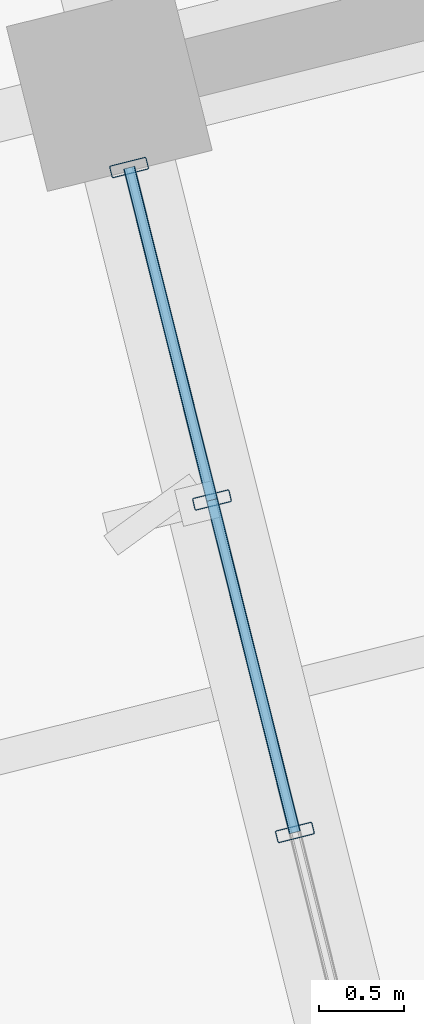
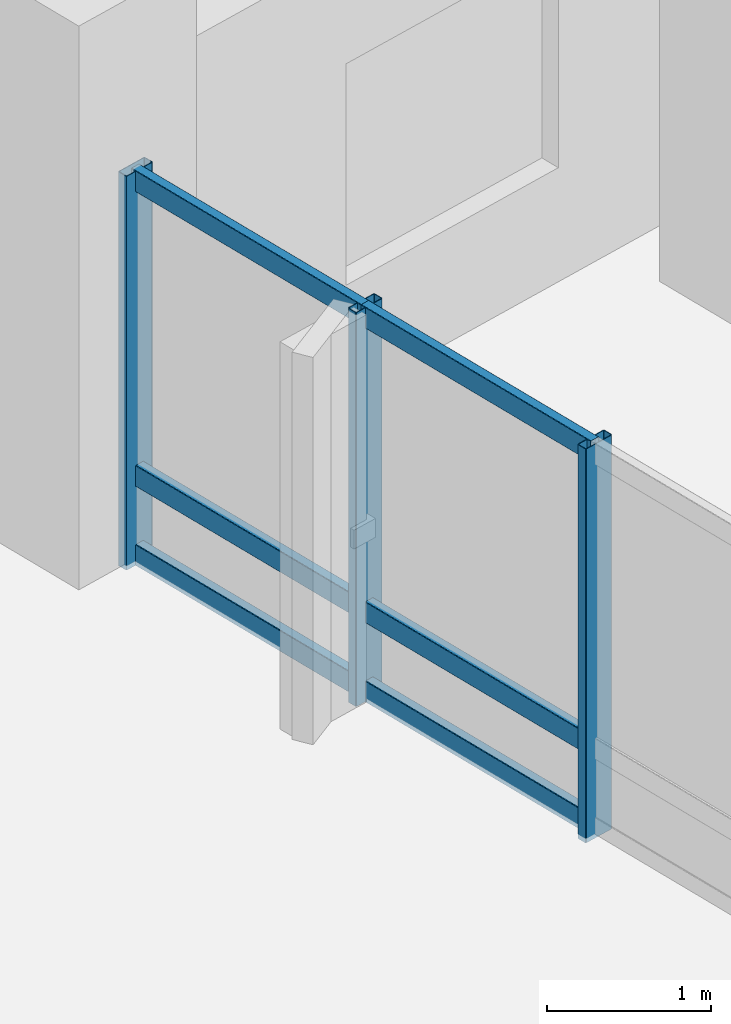
# One storey, part 16 of 42: 9 members, 1 element without a shape of its own.
"""IFC4 building model written with IfcOpenShell, lengths in metres."""

from ifc_helpers import new_model, si_unit, direction, frame, origin, origin_2d, place, context, subcontext, project, spatial, hollow_rectangle, extrude, material, layer, layer_set, material_profile, profile_set, type_object, element, aggregate, save


model = new_model("IFC4")

# Units and contexts
model_context = context("Model", 3, precision=1e-05, world=origin(), true_north=direction((0.0, 1.0)))
body_context = subcontext(model_context, "Body", "Model", "MODEL_VIEW")
ifc_project = project(units=[si_unit("LENGTHUNIT", "METRE"), si_unit("AREAUNIT", "SQUARE_METRE"), si_unit("VOLUMEUNIT", "CUBIC_METRE"), si_unit("PLANEANGLEUNIT", "RADIAN"), si_unit("MASSUNIT", "GRAM", prefix="KILO")], contexts=[model_context])

# Site, building, storey
site_placement = place(None, origin())
site = spatial("IfcSite", under=ifc_project, at=site_placement, CompositionType="ELEMENT")
building_placement = place(site_placement, origin())
building = spatial("IfcBuilding", under=site, at=building_placement, Name="Khorjan Park Terminus", CompositionType="ELEMENT")
storey_placement = place(building_placement, frame((0.0, 0.0, 20.4)))
storey = spatial("IfcBuildingStorey", under=building, at=storey_placement, Name="L04", CompositionType="ELEMENT", Elevation=20.4)

# Curtain wall, members
ifc_material = material(Name="Anodized Bronze Aluminium", Category="aluminium")
ifc_layer = layer(ifc_material, 0.22)
ifc_layer_set = layer_set([ifc_layer], Name="Anodized Bronze Aluminium")
curtain_wall_type = type_object("IfcCurtainWallType", Name="CW-OPS-B", PredefinedType="NOTDEFINED", material=ifc_layer_set)
curtain_wall_placement = place(storey_placement, origin())
curtain_wall = element("IfcCurtainWall", 1, at=curtain_wall_placement, inside=storey, type_object=curtain_wall_type, Name="Unitized curtain wall CW-B (CW-V5-NW1-L04-B01)", PredefinedType="NOTDEFINED")
ifc_material_profile_1 = material_profile(ifc_material, hollow_rectangle(XDim=0.075, YDim=0.225, WallThickness=0.005, InnerFilletRadius=0.005, OuterFilletRadius=0.01, at=origin_2d()), Name="ALM 75x225x5")
ifc_profile_set_1 = profile_set([ifc_material_profile_1], Name="Anodized Bronze Aluminium")
member_type_1 = type_object("IfcMemberType", Name="ML-ALM-225", PredefinedType="MULLION", material=ifc_profile_set_1)
member_1_placement = place(storey_placement, frame((195.5034, 65.5453, -0.035), z_axis=(0.0, 0.0, 1.0), x_axis=(0.241919922282, -0.970296218277, 0.0)))
member_1 = element("IfcMember", 2, at=member_1_placement, type_object=member_type_1, Name="Curtain-wall mullion ML-22 (CW-V5-NW1-L04-B01-0)", PredefinedType="MULLION", context=body_context, shape_type="SweptSolid", body=[
    extrude(hollow_rectangle(XDim=0.075, YDim=0.225, WallThickness=0.005, InnerFilletRadius=0.005, OuterFilletRadius=0.01, at=origin_2d()), origin(), (0.0, 0.0, 1.0), 2.935),
])
member_2_placement = place(storey_placement, frame((195.9916, 63.5873, -0.035), z_axis=(0.0, 0.0, 1.0), x_axis=(0.241919922282, -0.970296218277, 0.0)))
member_2 = element("IfcMember", 3, at=member_2_placement, type_object=member_type_1, Name="Curtain-wall mullion ML-22 (CW-V5-NW1-L04-B01-1)", PredefinedType="MULLION", context=body_context, shape_type="SweptSolid", body=[
    extrude(hollow_rectangle(XDim=0.075, YDim=0.225, WallThickness=0.005, InnerFilletRadius=0.005, OuterFilletRadius=0.01, at=origin_2d()), origin(), (0.0, 0.0, 1.0), 2.935),
])
member_3_placement = place(storey_placement, frame((196.4798, 61.6293, -0.035), z_axis=(0.0, 0.0, 1.0), x_axis=(0.241919922282, -0.970296218277, 0.0)))
member_3 = element("IfcMember", 4, at=member_3_placement, type_object=member_type_1, Name="Curtain-wall mullion ML-22 (CW-V5-NW1-L04-B01-2)", PredefinedType="MULLION", context=body_context, shape_type="SweptSolid", body=[
    extrude(hollow_rectangle(XDim=0.075, YDim=0.225, WallThickness=0.005, InnerFilletRadius=0.005, OuterFilletRadius=0.01, at=origin_2d()), origin(), (0.0, 0.0, 1.0), 2.935),
])
ifc_material_profile_2 = material_profile(ifc_material, hollow_rectangle(XDim=0.07, YDim=0.16, WallThickness=0.004, InnerFilletRadius=0.004, OuterFilletRadius=0.008, at=origin_2d()), Name="ALT 70x160x4")
ifc_profile_set_2 = profile_set([ifc_material_profile_2], Name="Anodized Bronze Aluminium")
member_type_2 = type_object("IfcMemberType", Name="TR-ALT-160", PredefinedType="USERDEFINED", material=ifc_profile_set_2)
member_4_placement = place(storey_placement, frame((195.5034, 65.5453, 0.04), z_axis=(0.241929253299, -0.970293891766, 0.0), x_axis=(0.970293891766, 0.241929253299, 0.0)))
member_4 = element("IfcMember", 5, at=member_4_placement, type_object=member_type_2, Name="Curtain-wall transom TR-16 (CW-V5-NW1-L04-B01-0-1)", ObjectType="TRANSOM", PredefinedType="USERDEFINED", context=body_context, shape_type="SweptSolid", body=[
    extrude(hollow_rectangle(XDim=0.07, YDim=0.16, WallThickness=0.004, InnerFilletRadius=0.004, OuterFilletRadius=0.008, at=origin_2d()), origin(), (0.0, 0.0, 1.0), 2.0179),
])
member_5_placement = place(storey_placement, frame((195.5034, 65.5453, 0.63), z_axis=(0.241929253299, -0.970293891766, 0.0), x_axis=(0.970293891766, 0.241929253299, 0.0)))
member_5 = element("IfcMember", 6, at=member_5_placement, type_object=member_type_2, Name="Curtain-wall transom TR-16 (CW-V5-NW1-L04-B01-0-2)", ObjectType="TRANSOM", PredefinedType="USERDEFINED", context=body_context, shape_type="SweptSolid", body=[
    extrude(hollow_rectangle(XDim=0.07, YDim=0.16, WallThickness=0.004, InnerFilletRadius=0.004, OuterFilletRadius=0.008, at=origin_2d()), origin(), (0.0, 0.0, 1.0), 2.0179),
])
member_6_placement = place(storey_placement, frame((195.5034, 65.5453, 2.825), z_axis=(0.241929253299, -0.970293891766, 0.0), x_axis=(0.970293891766, 0.241929253299, 0.0)))
member_6 = element("IfcMember", 7, at=member_6_placement, type_object=member_type_2, Name="Curtain-wall transom TR-16 (CW-V5-NW1-L04-B01-0-3)", ObjectType="TRANSOM", PredefinedType="USERDEFINED", context=body_context, shape_type="SweptSolid", body=[
    extrude(hollow_rectangle(XDim=0.07, YDim=0.16, WallThickness=0.004, InnerFilletRadius=0.004, OuterFilletRadius=0.008, at=origin_2d()), origin(), (0.0, 0.0, 1.0), 2.0179),
])
member_7_placement = place(storey_placement, frame((195.9916, 63.5873, 0.04), z_axis=(0.241929253299, -0.970293891766, 0.0), x_axis=(0.970293891766, 0.241929253299, 0.0)))
member_7 = element("IfcMember", 8, at=member_7_placement, type_object=member_type_2, Name="Curtain-wall transom TR-16 (CW-V5-NW1-L04-B01-1-1)", ObjectType="TRANSOM", PredefinedType="USERDEFINED", context=body_context, shape_type="SweptSolid", body=[
    extrude(hollow_rectangle(XDim=0.07, YDim=0.16, WallThickness=0.004, InnerFilletRadius=0.004, OuterFilletRadius=0.008, at=origin_2d()), origin(), (0.0, 0.0, 1.0), 2.0179),
])
member_8_placement = place(storey_placement, frame((195.9916, 63.5873, 0.63), z_axis=(0.241929253299, -0.970293891766, 0.0), x_axis=(0.970293891766, 0.241929253299, 0.0)))
member_8 = element("IfcMember", 9, at=member_8_placement, type_object=member_type_2, Name="Curtain-wall transom TR-16 (CW-V5-NW1-L04-B01-1-2)", ObjectType="TRANSOM", PredefinedType="USERDEFINED", context=body_context, shape_type="SweptSolid", body=[
    extrude(hollow_rectangle(XDim=0.07, YDim=0.16, WallThickness=0.004, InnerFilletRadius=0.004, OuterFilletRadius=0.008, at=origin_2d()), origin(), (0.0, 0.0, 1.0), 2.0179),
])
member_9_placement = place(storey_placement, frame((195.9916, 63.5873, 2.825), z_axis=(0.241929253299, -0.970293891766, 0.0), x_axis=(0.970293891766, 0.241929253299, 0.0)))
member_9 = element("IfcMember", 10, at=member_9_placement, type_object=member_type_2, Name="Curtain-wall transom TR-16 (CW-V5-NW1-L04-B01-1-3)", ObjectType="TRANSOM", PredefinedType="USERDEFINED", context=body_context, shape_type="SweptSolid", body=[
    extrude(hollow_rectangle(XDim=0.07, YDim=0.16, WallThickness=0.004, InnerFilletRadius=0.004, OuterFilletRadius=0.008, at=origin_2d()), origin(), (0.0, 0.0, 1.0), 2.0179),
])
aggregate(curtain_wall, [member_1, member_2, member_3, member_4, member_5, member_6, member_7, member_8, member_9])

save(model, "model.ifc")
